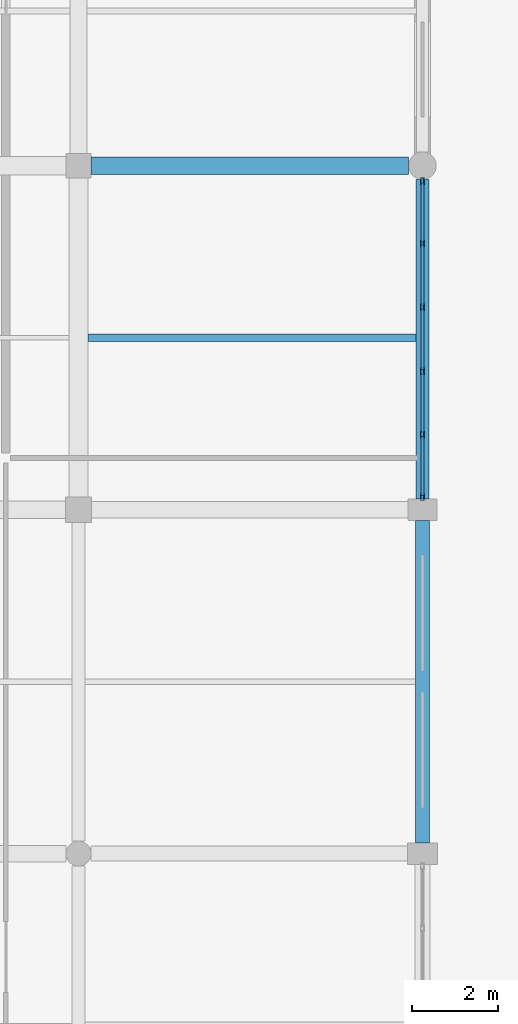
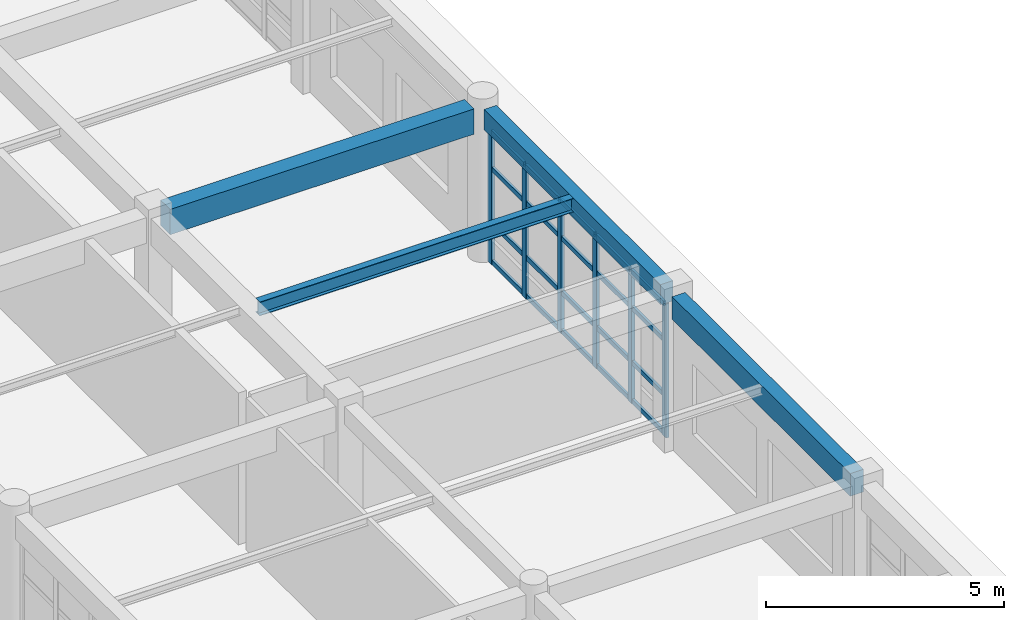
# One storey, part 49 of 121: 26 members, 4 beams, 1 element without a shape of its own.
"""IFC4 building model written with IfcOpenShell, lengths in metres."""

from ifc_helpers import new_model, si_unit, direction, frame, origin, origin_2d, place, context, subcontext, project, spatial, rectangle, hollow_rectangle, i_section, extrude, material, material_profile, profile_set, type_object, element, aggregate, save


model = new_model("IFC4")

# Units and contexts
model_context = context("Model", 3, precision=1e-05, world=origin(), true_north=direction((0.0, 1.0)))
body_context = subcontext(model_context, "Body", "Model", "MODEL_VIEW")
ifc_project = project(units=[si_unit("LENGTHUNIT", "METRE"), si_unit("AREAUNIT", "SQUARE_METRE"), si_unit("VOLUMEUNIT", "CUBIC_METRE"), si_unit("PLANEANGLEUNIT", "RADIAN"), si_unit("MASSUNIT", "GRAM", prefix="KILO")], contexts=[model_context])

# Site, building, storey
site_placement = place(None, origin())
site = spatial("IfcSite", under=ifc_project, at=site_placement, CompositionType="ELEMENT")
building_placement = place(site_placement, origin())
building = spatial("IfcBuilding", under=site, at=building_placement, Name="Kharva Crest Polytechnic", CompositionType="ELEMENT")
storey_placement = place(building_placement, frame((0.0, 0.0, 13.199951171875)))
storey = spatial("IfcBuildingStorey", under=building, at=storey_placement, Name="L03", CompositionType="ELEMENT", Elevation=13.199951171875)

# Beams
ifc_material_1 = material(Name="Concrete C35/45", Category="concrete")
ifc_material_profile_1 = material_profile(ifc_material_1, rectangle(XDim=0.39990234375, YDim=0.64990234375, at=origin_2d()), Name="RECT 400 X 650")
ifc_profile_set_1 = profile_set([ifc_material_profile_1], Name="Concrete C35/45")
beam_type_1 = type_object("IfcBeamType", Name="BM-RC-400X650", PredefinedType="BEAM", material=ifc_profile_set_1)
beam_1_placement = place(storey_placement, frame((40.2900390625, 78.800048828125, 3.635009765625), z_axis=(1.0, 0.0, 0.0), x_axis=(0.0, 1.0, 0.0)))
element("IfcBeam", 1, at=beam_1_placement, inside=storey, type_object=beam_type_1, Name="L03 Beam L/6-7", PredefinedType="BEAM", context=body_context, shape_type="SweptSolid", body=[
    extrude(rectangle(XDim=0.39990234375, YDim=0.64990234375, at=origin_2d()), origin(), (0.0, 0.0, 1.0), 7.389892578125),
])
ifc_material_2 = material(Name="Steel S355", Category="steel")
ifc_material_profile_2 = material_profile(ifc_material_2, i_section(OverallWidth=0.172119140625, OverallDepth=0.35791015625, WebThickness=0.0078125, FlangeThickness=0.01318359375, at=origin_2d()), Name="W360X57.8")
ifc_profile_set_2 = profile_set([ifc_material_profile_2], Name="Steel S355")
beam_type_2 = type_object("IfcBeamType", Name="BM-STL-W360X57", PredefinedType="JOIST", material=ifc_profile_set_2)
beam_2_placement = place(storey_placement, frame((40.22509765625, 74.800048828125, 3.781005859375), z_axis=(1.0, 0.0, 0.0), x_axis=(0.0, 1.0, 0.0)))
element("IfcBeam", 2, at=beam_2_placement, inside=storey, type_object=beam_type_2, Name="L03 Floor Joist 8", PredefinedType="JOIST", context=body_context, shape_type="SweptSolid", body=[
    extrude(i_section(OverallWidth=0.172119140625, OverallDepth=0.35791015625, WebThickness=0.0078125, FlangeThickness=0.01318359375, at=origin_2d()), origin(), (0.0, 0.0, 1.0), 7.625),
])

# Curtain wall, members
ifc_material_3 = material(Name="Tempered insulated glass", Category="glass")
curtain_wall_type = type_object("IfcCurtainWallType", Name="CW-SYS-COURT", PredefinedType="USERDEFINED", material=ifc_material_3)
curtain_wall_placement = place(storey_placement, origin())
curtain_wall = element("IfcCurtainWall", 3, at=curtain_wall_placement, inside=storey, type_object=curtain_wall_type, Name="L03 Glazed Curtain Wall CW-170", ObjectType="CURTAIN WALL", PredefinedType="USERDEFINED")
ifc_material_profile_3 = material_profile(ifc_material_2, hollow_rectangle(XDim=0.080078125, YDim=0.159912109375, WallThickness=0.0048828125, at=origin_2d()), Name="RHS 160X80X5.0")
ifc_profile_set_3 = profile_set([ifc_material_profile_3], Name="Steel S355")
member_type_1 = type_object("IfcMemberType", Name="CWM-RHS160X80", PredefinedType="MULLION", material=ifc_profile_set_3)
member_1_placement = place(storey_placement, frame((48.0, 71.094970703125, 0.0), z_axis=(0.0, 0.0, 1.0), x_axis=(-1.0, 0.0, 0.0)))
member_1 = element("IfcMember", 4, at=member_1_placement, type_object=member_type_1, Name="CW-170 mullion 1", PredefinedType="MULLION", context=body_context, shape_type="SweptSolid", body=[
    extrude(hollow_rectangle(XDim=0.080078125, YDim=0.159912109375, WallThickness=0.0048828125, at=origin_2d()), origin(), (0.0, 0.0, 1.0), 3.43994140625),
])
member_2_placement = place(storey_placement, frame((48.0, 72.5390625, 0.0), z_axis=(0.0, 0.0, 1.0), x_axis=(-1.0, 0.0, 0.0)))
member_2 = element("IfcMember", 5, at=member_2_placement, type_object=member_type_1, Name="CW-170 mullion 2", PredefinedType="MULLION", context=body_context, shape_type="SweptSolid", body=[
    extrude(hollow_rectangle(XDim=0.080078125, YDim=0.159912109375, WallThickness=0.0048828125, at=origin_2d()), origin(), (0.0, 0.0, 1.0), 3.43994140625),
])
member_3_placement = place(storey_placement, frame((48.0, 74.02294921875, 0.0), z_axis=(0.0, 0.0, 1.0), x_axis=(-1.0, 0.0, 0.0)))
member_3 = element("IfcMember", 6, at=member_3_placement, type_object=member_type_1, Name="CW-170 mullion 3", PredefinedType="MULLION", context=body_context, shape_type="SweptSolid", body=[
    extrude(hollow_rectangle(XDim=0.080078125, YDim=0.159912109375, WallThickness=0.0048828125, at=origin_2d()), origin(), (0.0, 0.0, 1.0), 3.43994140625),
])
member_4_placement = place(storey_placement, frame((48.0, 75.507080078125, 0.0), z_axis=(0.0, 0.0, 1.0), x_axis=(-1.0, 0.0, 0.0)))
member_4 = element("IfcMember", 7, at=member_4_placement, type_object=member_type_1, Name="CW-170 mullion 4", PredefinedType="MULLION", context=body_context, shape_type="SweptSolid", body=[
    extrude(hollow_rectangle(XDim=0.080078125, YDim=0.159912109375, WallThickness=0.0048828125, at=origin_2d()), origin(), (0.0, 0.0, 1.0), 3.43994140625),
])
member_5_placement = place(storey_placement, frame((48.0, 76.990966796875, 0.0), z_axis=(0.0, 0.0, 1.0), x_axis=(-1.0, 0.0, 0.0)))
member_5 = element("IfcMember", 8, at=member_5_placement, type_object=member_type_1, Name="CW-170 mullion 5", PredefinedType="MULLION", context=body_context, shape_type="SweptSolid", body=[
    extrude(hollow_rectangle(XDim=0.080078125, YDim=0.159912109375, WallThickness=0.0048828125, at=origin_2d()), origin(), (0.0, 0.0, 1.0), 3.43994140625),
])
member_6_placement = place(storey_placement, frame((48.0, 78.43505859375, 0.0), z_axis=(0.0, 0.0, 1.0), x_axis=(-1.0, 0.0, 0.0)))
member_6 = element("IfcMember", 9, at=member_6_placement, type_object=member_type_1, Name="CW-170 mullion 6", PredefinedType="MULLION", context=body_context, shape_type="SweptSolid", body=[
    extrude(hollow_rectangle(XDim=0.080078125, YDim=0.159912109375, WallThickness=0.0048828125, at=origin_2d()), origin(), (0.0, 0.0, 1.0), 3.43994140625),
])
ifc_material_profile_4 = material_profile(ifc_material_2, hollow_rectangle(XDim=0.06005859375, YDim=0.1201171875, WallThickness=0.00390625, at=origin_2d()), Name="RHS 120X60X4.0")
ifc_profile_set_4 = profile_set([ifc_material_profile_4], Name="Steel S355")
member_type_2 = type_object("IfcMemberType", Name="CWT-RHS120X60", PredefinedType="USERDEFINED", material=ifc_profile_set_4)
member_7_placement = place(storey_placement, frame((48.0, 71.135009765625, 0.06005859375), z_axis=(0.0, 1.0, 0.0), x_axis=(-1.0, 0.0, 0.0)))
member_7 = element("IfcMember", 10, at=member_7_placement, type_object=member_type_2, Name="CW-170 transom 1.1", ObjectType="TRANSOM", PredefinedType="USERDEFINED", context=body_context, shape_type="SweptSolid", body=[
    extrude(hollow_rectangle(XDim=0.06005859375, YDim=0.1201171875, WallThickness=0.00390625, at=origin_2d()), origin(), (0.0, 0.0, 1.0), 1.364013671875),
])
member_8_placement = place(storey_placement, frame((48.0, 71.135009765625, 1.050048828125), z_axis=(0.0, 1.0, 0.0), x_axis=(-1.0, 0.0, 0.0)))
member_8 = element("IfcMember", 11, at=member_8_placement, type_object=member_type_2, Name="CW-170 transom 1.2", ObjectType="TRANSOM", PredefinedType="USERDEFINED", context=body_context, shape_type="SweptSolid", body=[
    extrude(hollow_rectangle(XDim=0.06005859375, YDim=0.1201171875, WallThickness=0.00390625, at=origin_2d()), origin(), (0.0, 0.0, 1.0), 1.364013671875),
])
member_9_placement = place(storey_placement, frame((48.0, 71.135009765625, 2.449951171875), z_axis=(0.0, 1.0, 0.0), x_axis=(-1.0, 0.0, 0.0)))
member_9 = element("IfcMember", 12, at=member_9_placement, type_object=member_type_2, Name="CW-170 transom 1.3", ObjectType="TRANSOM", PredefinedType="USERDEFINED", context=body_context, shape_type="SweptSolid", body=[
    extrude(hollow_rectangle(XDim=0.06005859375, YDim=0.1201171875, WallThickness=0.00390625, at=origin_2d()), origin(), (0.0, 0.0, 1.0), 1.364013671875),
])
member_10_placement = place(storey_placement, frame((48.0, 71.135009765625, 3.380126953125), z_axis=(0.0, 1.0, 0.0), x_axis=(-1.0, 0.0, 0.0)))
member_10 = element("IfcMember", 13, at=member_10_placement, type_object=member_type_2, Name="CW-170 transom 1.4", ObjectType="TRANSOM", PredefinedType="USERDEFINED", context=body_context, shape_type="SweptSolid", body=[
    extrude(hollow_rectangle(XDim=0.06005859375, YDim=0.1201171875, WallThickness=0.00390625, at=origin_2d()), origin(), (0.0, 0.0, 1.0), 1.364013671875),
])
member_11_placement = place(storey_placement, frame((48.0, 72.5791015625, 0.06005859375), z_axis=(0.0, 1.0, 0.0), x_axis=(-1.0, 0.0, 0.0)))
member_11 = element("IfcMember", 14, at=member_11_placement, type_object=member_type_2, Name="CW-170 transom 2.1", ObjectType="TRANSOM", PredefinedType="USERDEFINED", context=body_context, shape_type="SweptSolid", body=[
    extrude(hollow_rectangle(XDim=0.06005859375, YDim=0.1201171875, WallThickness=0.00390625, at=origin_2d()), origin(), (0.0, 0.0, 1.0), 1.40380859375),
])
member_12_placement = place(storey_placement, frame((48.0, 72.5791015625, 1.050048828125), z_axis=(0.0, 1.0, 0.0), x_axis=(-1.0, 0.0, 0.0)))
member_12 = element("IfcMember", 15, at=member_12_placement, type_object=member_type_2, Name="CW-170 transom 2.2", ObjectType="TRANSOM", PredefinedType="USERDEFINED", context=body_context, shape_type="SweptSolid", body=[
    extrude(hollow_rectangle(XDim=0.06005859375, YDim=0.1201171875, WallThickness=0.00390625, at=origin_2d()), origin(), (0.0, 0.0, 1.0), 1.40380859375),
])
member_13_placement = place(storey_placement, frame((48.0, 72.5791015625, 2.449951171875), z_axis=(0.0, 1.0, 0.0), x_axis=(-1.0, 0.0, 0.0)))
member_13 = element("IfcMember", 16, at=member_13_placement, type_object=member_type_2, Name="CW-170 transom 2.3", ObjectType="TRANSOM", PredefinedType="USERDEFINED", context=body_context, shape_type="SweptSolid", body=[
    extrude(hollow_rectangle(XDim=0.06005859375, YDim=0.1201171875, WallThickness=0.00390625, at=origin_2d()), origin(), (0.0, 0.0, 1.0), 1.40380859375),
])
member_14_placement = place(storey_placement, frame((48.0, 72.5791015625, 3.380126953125), z_axis=(0.0, 1.0, 0.0), x_axis=(-1.0, 0.0, 0.0)))
member_14 = element("IfcMember", 17, at=member_14_placement, type_object=member_type_2, Name="CW-170 transom 2.4", ObjectType="TRANSOM", PredefinedType="USERDEFINED", context=body_context, shape_type="SweptSolid", body=[
    extrude(hollow_rectangle(XDim=0.06005859375, YDim=0.1201171875, WallThickness=0.00390625, at=origin_2d()), origin(), (0.0, 0.0, 1.0), 1.40380859375),
])
member_15_placement = place(storey_placement, frame((48.0, 74.06298828125, 0.06005859375), z_axis=(0.0, 1.0, 0.0), x_axis=(-1.0, 0.0, 0.0)))
member_15 = element("IfcMember", 18, at=member_15_placement, type_object=member_type_2, Name="CW-170 transom 3.1", ObjectType="TRANSOM", PredefinedType="USERDEFINED", context=body_context, shape_type="SweptSolid", body=[
    extrude(hollow_rectangle(XDim=0.06005859375, YDim=0.1201171875, WallThickness=0.00390625, at=origin_2d()), origin(), (0.0, 0.0, 1.0), 1.404052734375),
])
member_16_placement = place(storey_placement, frame((48.0, 74.06298828125, 1.050048828125), z_axis=(0.0, 1.0, 0.0), x_axis=(-1.0, 0.0, 0.0)))
member_16 = element("IfcMember", 19, at=member_16_placement, type_object=member_type_2, Name="CW-170 transom 3.2", ObjectType="TRANSOM", PredefinedType="USERDEFINED", context=body_context, shape_type="SweptSolid", body=[
    extrude(hollow_rectangle(XDim=0.06005859375, YDim=0.1201171875, WallThickness=0.00390625, at=origin_2d()), origin(), (0.0, 0.0, 1.0), 1.404052734375),
])
member_17_placement = place(storey_placement, frame((48.0, 74.06298828125, 2.449951171875), z_axis=(0.0, 1.0, 0.0), x_axis=(-1.0, 0.0, 0.0)))
member_17 = element("IfcMember", 20, at=member_17_placement, type_object=member_type_2, Name="CW-170 transom 3.3", ObjectType="TRANSOM", PredefinedType="USERDEFINED", context=body_context, shape_type="SweptSolid", body=[
    extrude(hollow_rectangle(XDim=0.06005859375, YDim=0.1201171875, WallThickness=0.00390625, at=origin_2d()), origin(), (0.0, 0.0, 1.0), 1.404052734375),
])
member_18_placement = place(storey_placement, frame((48.0, 74.06298828125, 3.380126953125), z_axis=(0.0, 1.0, 0.0), x_axis=(-1.0, 0.0, 0.0)))
member_18 = element("IfcMember", 21, at=member_18_placement, type_object=member_type_2, Name="CW-170 transom 3.4", ObjectType="TRANSOM", PredefinedType="USERDEFINED", context=body_context, shape_type="SweptSolid", body=[
    extrude(hollow_rectangle(XDim=0.06005859375, YDim=0.1201171875, WallThickness=0.00390625, at=origin_2d()), origin(), (0.0, 0.0, 1.0), 1.404052734375),
])
member_19_placement = place(storey_placement, frame((48.0, 75.547119140625, 0.06005859375), z_axis=(0.0, 1.0, 0.0), x_axis=(-1.0, 0.0, 0.0)))
member_19 = element("IfcMember", 22, at=member_19_placement, type_object=member_type_2, Name="CW-170 transom 4.1", ObjectType="TRANSOM", PredefinedType="USERDEFINED", context=body_context, shape_type="SweptSolid", body=[
    extrude(hollow_rectangle(XDim=0.06005859375, YDim=0.1201171875, WallThickness=0.00390625, at=origin_2d()), origin(), (0.0, 0.0, 1.0), 1.40380859375),
])
member_20_placement = place(storey_placement, frame((48.0, 75.547119140625, 1.050048828125), z_axis=(0.0, 1.0, 0.0), x_axis=(-1.0, 0.0, 0.0)))
member_20 = element("IfcMember", 23, at=member_20_placement, type_object=member_type_2, Name="CW-170 transom 4.2", ObjectType="TRANSOM", PredefinedType="USERDEFINED", context=body_context, shape_type="SweptSolid", body=[
    extrude(hollow_rectangle(XDim=0.06005859375, YDim=0.1201171875, WallThickness=0.00390625, at=origin_2d()), origin(), (0.0, 0.0, 1.0), 1.40380859375),
])
member_21_placement = place(storey_placement, frame((48.0, 75.547119140625, 2.449951171875), z_axis=(0.0, 1.0, 0.0), x_axis=(-1.0, 0.0, 0.0)))
member_21 = element("IfcMember", 24, at=member_21_placement, type_object=member_type_2, Name="CW-170 transom 4.3", ObjectType="TRANSOM", PredefinedType="USERDEFINED", context=body_context, shape_type="SweptSolid", body=[
    extrude(hollow_rectangle(XDim=0.06005859375, YDim=0.1201171875, WallThickness=0.00390625, at=origin_2d()), origin(), (0.0, 0.0, 1.0), 1.40380859375),
])
member_22_placement = place(storey_placement, frame((48.0, 75.547119140625, 3.380126953125), z_axis=(0.0, 1.0, 0.0), x_axis=(-1.0, 0.0, 0.0)))
member_22 = element("IfcMember", 25, at=member_22_placement, type_object=member_type_2, Name="CW-170 transom 4.4", ObjectType="TRANSOM", PredefinedType="USERDEFINED", context=body_context, shape_type="SweptSolid", body=[
    extrude(hollow_rectangle(XDim=0.06005859375, YDim=0.1201171875, WallThickness=0.00390625, at=origin_2d()), origin(), (0.0, 0.0, 1.0), 1.40380859375),
])
member_23_placement = place(storey_placement, frame((48.0, 77.031005859375, 0.06005859375), z_axis=(0.0, 1.0, 0.0), x_axis=(-1.0, 0.0, 0.0)))
member_23 = element("IfcMember", 26, at=member_23_placement, type_object=member_type_2, Name="CW-170 transom 5.1", ObjectType="TRANSOM", PredefinedType="USERDEFINED", context=body_context, shape_type="SweptSolid", body=[
    extrude(hollow_rectangle(XDim=0.06005859375, YDim=0.1201171875, WallThickness=0.00390625, at=origin_2d()), origin(), (0.0, 0.0, 1.0), 1.364013671875),
])
member_24_placement = place(storey_placement, frame((48.0, 77.031005859375, 1.050048828125), z_axis=(0.0, 1.0, 0.0), x_axis=(-1.0, 0.0, 0.0)))
member_24 = element("IfcMember", 27, at=member_24_placement, type_object=member_type_2, Name="CW-170 transom 5.2", ObjectType="TRANSOM", PredefinedType="USERDEFINED", context=body_context, shape_type="SweptSolid", body=[
    extrude(hollow_rectangle(XDim=0.06005859375, YDim=0.1201171875, WallThickness=0.00390625, at=origin_2d()), origin(), (0.0, 0.0, 1.0), 1.364013671875),
])
member_25_placement = place(storey_placement, frame((48.0, 77.031005859375, 2.449951171875), z_axis=(0.0, 1.0, 0.0), x_axis=(-1.0, 0.0, 0.0)))
member_25 = element("IfcMember", 28, at=member_25_placement, type_object=member_type_2, Name="CW-170 transom 5.3", ObjectType="TRANSOM", PredefinedType="USERDEFINED", context=body_context, shape_type="SweptSolid", body=[
    extrude(hollow_rectangle(XDim=0.06005859375, YDim=0.1201171875, WallThickness=0.00390625, at=origin_2d()), origin(), (0.0, 0.0, 1.0), 1.364013671875),
])
member_26_placement = place(storey_placement, frame((48.0, 77.031005859375, 3.380126953125), z_axis=(0.0, 1.0, 0.0), x_axis=(-1.0, 0.0, 0.0)))
member_26 = element("IfcMember", 29, at=member_26_placement, type_object=member_type_2, Name="CW-170 transom 5.4", ObjectType="TRANSOM", PredefinedType="USERDEFINED", context=body_context, shape_type="SweptSolid", body=[
    extrude(hollow_rectangle(XDim=0.06005859375, YDim=0.1201171875, WallThickness=0.00390625, at=origin_2d()), origin(), (0.0, 0.0, 1.0), 1.364013671875),
])
aggregate(curtain_wall, [member_1, member_2, member_3, member_4, member_5, member_6, member_7, member_8, member_9, member_10, member_11, member_12, member_13, member_14, member_15, member_16, member_17, member_18, member_19, member_20, member_21, member_22, member_23, member_24, member_25, member_26])

# Beams
ifc_material_profile_5 = material_profile(ifc_material_1, rectangle(XDim=0.300048828125, YDim=0.52001953125, at=origin_2d()), Name="RECT 300 X 520")
ifc_profile_set_5 = profile_set([ifc_material_profile_5], Name="Concrete C35/45")
beam_type_3 = type_object("IfcBeamType", Name="SP-RC-300X520", PredefinedType="SPANDREL", material=ifc_profile_set_5)
beam_3_placement = place(storey_placement, frame((48.0, 71.050048828125, 3.699951171875), z_axis=(0.0, 1.0, 0.0), x_axis=(-1.0, 0.0, 0.0)))
element("IfcBeam", 30, at=beam_3_placement, inside=storey, type_object=beam_type_3, Name="L03 Girder 7/K-L", PredefinedType="SPANDREL", context=body_context, shape_type="SweptSolid", body=[
    extrude(rectangle(XDim=0.300048828125, YDim=0.52001953125, at=origin_2d()), origin(), (0.0, 0.0, 1.0), 7.429931640625),
])
ifc_material_profile_6 = material_profile(ifc_material_1, rectangle(XDim=0.320068359375, YDim=0.580078125, at=origin_2d()), Name="RECT 320 X 580")
ifc_profile_set_6 = profile_set([ifc_material_profile_6], Name="Concrete C35/45")
beam_type_4 = type_object("IfcBeamType", Name="SP-RC-320X580", PredefinedType="SPANDREL", material=ifc_profile_set_6)
beam_4_placement = place(storey_placement, frame((48.0, 63.050048828125, 3.670166015625), z_axis=(0.0, 1.0, 0.0), x_axis=(-1.0, 0.0, 0.0)))
element("IfcBeam", 31, at=beam_4_placement, inside=storey, type_object=beam_type_4, Name="L03 Girder 7/J-K", PredefinedType="SPANDREL", context=body_context, shape_type="SweptSolid", body=[
    extrude(rectangle(XDim=0.320068359375, YDim=0.580078125, at=origin_2d()), origin(), (0.0, 0.0, 1.0), 7.5),
])

save(model, "model.ifc")
